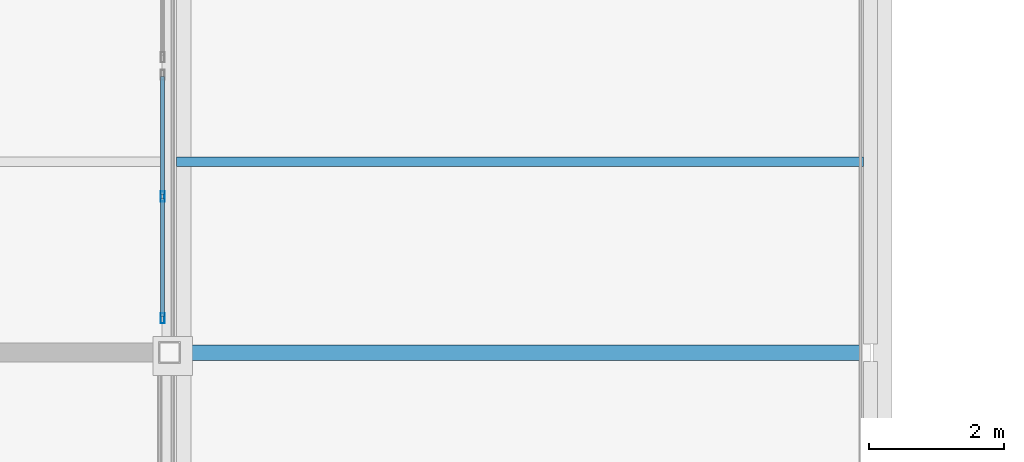
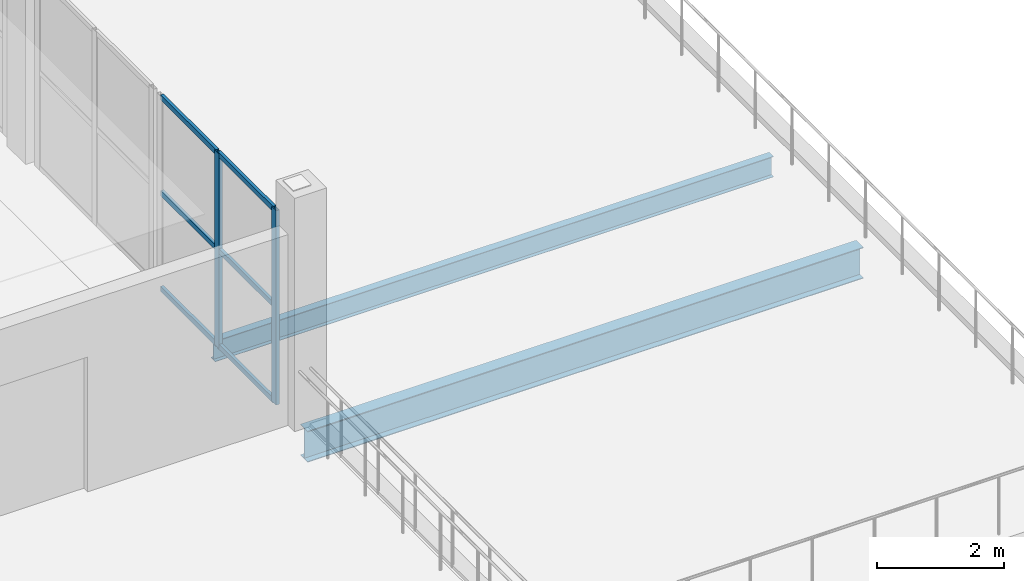
# One storey, part 62 of 156: 8 members, 2 beams, 1 element without a shape of its own.
"""IFC4 building model written with IfcOpenShell, lengths in metres."""

from ifc_helpers import new_model, si_unit, direction, frame, origin, origin_2d, place, context, subcontext, project, spatial, hollow_rectangle, i_section, extrude, material, material_profile, profile_set, type_object, element, aggregate, save


model = new_model("IFC4")

# Units and contexts
model_context = context("Model", 3, precision=1e-05, world=origin(), true_north=direction((0.0, 1.0)))
body_context = subcontext(model_context, "Body", "Model", "MODEL_VIEW")
ifc_project = project(units=[si_unit("LENGTHUNIT", "METRE"), si_unit("AREAUNIT", "SQUARE_METRE"), si_unit("VOLUMEUNIT", "CUBIC_METRE"), si_unit("PLANEANGLEUNIT", "RADIAN"), si_unit("MASSUNIT", "GRAM", prefix="KILO")], contexts=[model_context])

# Site, building, storey
site_placement = place(None, origin())
site = spatial("IfcSite", under=ifc_project, at=site_placement, CompositionType="ELEMENT")
building_placement = place(site_placement, origin())
building = spatial("IfcBuilding", under=site, at=building_placement, Name="Caurita Quay Ferry Terminal", CompositionType="ELEMENT")
storey_placement = place(building_placement, frame((0.0, 0.0, 5.39990234375)))
storey = spatial("IfcBuildingStorey", under=building, at=storey_placement, Name="L01", CompositionType="ELEMENT", Elevation=5.39990234375)

# Beams
ifc_material_1 = material(Name="Structural steel ASTM A992 Gr. 50", Category="steel")
ifc_material_profile_1 = material_profile(ifc_material_1, i_section(OverallWidth=0.22802734375, OverallDepth=0.60205078125, WebThickness=0.010498046875, FlangeThickness=0.014892578125, at=origin_2d()), Name="W24X68")
ifc_profile_set_1 = profile_set([ifc_material_profile_1], Name="Structural steel ASTM A992 Gr. 50")
beam_type_1 = type_object("IfcBeamType", Name="BM-GR-W24C", PredefinedType="BEAM", material=ifc_profile_set_1)
beam_1_placement = place(storey_placement, frame((142.929443359375, 8.5, -0.560791015625), z_axis=(1.0, 0.0, 0.0), x_axis=(0.0, 1.0, 0.0)))
element("IfcBeam", 1, at=beam_1_placement, inside=storey, type_object=beam_type_1, Name="L01 Beam BM-V3P-L01-X-1429-85", PredefinedType="BEAM", context=body_context, shape_type="SweptSolid", body=[
    extrude(i_section(OverallWidth=0.22802734375, OverallDepth=0.60205078125, WebThickness=0.010498046875, FlangeThickness=0.014892578125, at=origin_2d()), origin(), (0.0, 0.0, 1.0), 10.14111328125),
])
ifc_material_profile_2 = material_profile(ifc_material_1, i_section(OverallWidth=0.139892578125, OverallDepth=0.39892578125, WebThickness=0.00634765625, FlangeThickness=0.0087890625, at=origin_2d()), Name="W16X26")
ifc_profile_set_2 = profile_set([ifc_material_profile_2], Name="Structural steel ASTM A992 Gr. 50")
beam_type_2 = type_object("IfcBeamType", Name="BM-JS-W16C", PredefinedType="JOIST", material=ifc_profile_set_2)
beam_2_placement = place(storey_placement, frame((142.905517578125, 11.333251953125, -0.45947265625), z_axis=(1.0, 0.0, 0.0), x_axis=(0.0, 1.0, 0.0)))
element("IfcBeam", 2, at=beam_2_placement, inside=storey, type_object=beam_type_2, Name="L01 Beam JS-V3P-L01-011", PredefinedType="JOIST", context=body_context, shape_type="SweptSolid", body=[
    extrude(i_section(OverallWidth=0.139892578125, OverallDepth=0.39892578125, WebThickness=0.00634765625, FlangeThickness=0.0087890625, at=origin_2d()), origin(), (0.0, 0.0, 1.0), 10.18896484375),
])

# Curtain wall, members
ifc_material_2 = material(Name="Laminated solar-control insulated glass", Category="glass")
curtain_wall_type = type_object("IfcCurtainWallType", Name="CW-SYS-15", PredefinedType="NOTDEFINED", material=ifc_material_2)
curtain_wall_placement = place(storey_placement, origin())
curtain_wall = element("IfcCurtainWall", 3, at=curtain_wall_placement, inside=storey, type_object=curtain_wall_type, Name="Boarding Gangway Ribbon Curtain Wall 119", PredefinedType="NOTDEFINED")
ifc_material_3 = material(Name="Anodized aluminium 6063-T6", Category="aluminium")
ifc_material_profile_3 = material_profile(ifc_material_3, hollow_rectangle(XDim=0.06005859375, YDim=0.14990234375, WallThickness=0.00341796875, at=origin_2d()), Name="ALU-MUL-60X150")
ifc_profile_set_3 = profile_set([ifc_material_profile_3], Name="Anodized aluminium 6063-T6")
member_type_1 = type_object("IfcMemberType", Name="CW-MUL-150", PredefinedType="MULLION", material=ifc_profile_set_3)
member_1_placement = place(storey_placement, frame((142.699951171875, 9.010009765625, 0.0), z_axis=(0.0, 0.0, 1.0), x_axis=(-1.0, 0.0, 0.0)))
member_1 = element("IfcMember", 4, at=member_1_placement, type_object=member_type_1, Name="CW-BGW-119 Mullion 1", PredefinedType="MULLION", context=body_context, shape_type="SweptSolid", body=[
    extrude(hollow_rectangle(XDim=0.06005859375, YDim=0.14990234375, WallThickness=0.00341796875, at=origin_2d()), origin(), (0.0, 0.0, 1.0), 3.75),
])
member_2_placement = place(storey_placement, frame((142.699951171875, 10.81494140625, 0.0), z_axis=(0.0, 0.0, 1.0), x_axis=(-1.0, 0.0, 0.0)))
member_2 = element("IfcMember", 5, at=member_2_placement, type_object=member_type_1, Name="CW-BGW-119 Mullion 2", PredefinedType="MULLION", context=body_context, shape_type="SweptSolid", body=[
    extrude(hollow_rectangle(XDim=0.06005859375, YDim=0.14990234375, WallThickness=0.00341796875, at=origin_2d()), origin(), (0.0, 0.0, 1.0), 3.75),
])
ifc_material_profile_4 = material_profile(ifc_material_3, hollow_rectangle(XDim=0.054931640625, YDim=0.10009765625, WallThickness=0.00341796875, at=origin_2d()), Name="ALU-TRN-55X100")
ifc_profile_set_4 = profile_set([ifc_material_profile_4], Name="Anodized aluminium 6063-T6")
member_type_2 = type_object("IfcMemberType", Name="CW-TRN-100", PredefinedType="USERDEFINED", material=ifc_profile_set_4)
member_3_placement = place(storey_placement, frame((142.699951171875, 9.0380859375, 0.027587890625), z_axis=(0.0, 1.0, 0.0), x_axis=(-1.0, 0.0, 0.0)))
member_3 = element("IfcMember", 6, at=member_3_placement, type_object=member_type_2, Name="CW-BGW-119 Transom 1", ObjectType="TRANSOM", PredefinedType="USERDEFINED", context=body_context, shape_type="SweptSolid", body=[
    extrude(hollow_rectangle(XDim=0.054931640625, YDim=0.10009765625, WallThickness=0.00341796875, at=origin_2d()), origin(), (0.0, 0.0, 1.0), 1.7490234375),
])
member_4_placement = place(storey_placement, frame((142.699951171875, 9.0380859375, 1.875), z_axis=(0.0, 1.0, 0.0), x_axis=(-1.0, 0.0, 0.0)))
member_4 = element("IfcMember", 7, at=member_4_placement, type_object=member_type_2, Name="CW-BGW-119 Transom 2", ObjectType="TRANSOM", PredefinedType="USERDEFINED", context=body_context, shape_type="SweptSolid", body=[
    extrude(hollow_rectangle(XDim=0.054931640625, YDim=0.10009765625, WallThickness=0.00341796875, at=origin_2d()), origin(), (0.0, 0.0, 1.0), 1.7490234375),
])
member_5_placement = place(storey_placement, frame((142.699951171875, 9.0380859375, 3.72265625), z_axis=(0.0, 1.0, 0.0), x_axis=(-1.0, 0.0, 0.0)))
member_5 = element("IfcMember", 8, at=member_5_placement, type_object=member_type_2, Name="CW-BGW-119 Transom 3", ObjectType="TRANSOM", PredefinedType="USERDEFINED", context=body_context, shape_type="SweptSolid", body=[
    extrude(hollow_rectangle(XDim=0.054931640625, YDim=0.10009765625, WallThickness=0.00341796875, at=origin_2d()), origin(), (0.0, 0.0, 1.0), 1.7490234375),
])
member_6_placement = place(storey_placement, frame((142.699951171875, 10.843017578125, 0.027587890625), z_axis=(0.0, 1.0, 0.0), x_axis=(-1.0, 0.0, 0.0)))
member_6 = element("IfcMember", 9, at=member_6_placement, type_object=member_type_2, Name="CW-BGW-119 Transom 4", ObjectType="TRANSOM", PredefinedType="USERDEFINED", context=body_context, shape_type="SweptSolid", body=[
    extrude(hollow_rectangle(XDim=0.054931640625, YDim=0.10009765625, WallThickness=0.00341796875, at=origin_2d()), origin(), (0.0, 0.0, 1.0), 1.7490234375),
])
member_7_placement = place(storey_placement, frame((142.699951171875, 10.843017578125, 1.875), z_axis=(0.0, 1.0, 0.0), x_axis=(-1.0, 0.0, 0.0)))
member_7 = element("IfcMember", 10, at=member_7_placement, type_object=member_type_2, Name="CW-BGW-119 Transom 5", ObjectType="TRANSOM", PredefinedType="USERDEFINED", context=body_context, shape_type="SweptSolid", body=[
    extrude(hollow_rectangle(XDim=0.054931640625, YDim=0.10009765625, WallThickness=0.00341796875, at=origin_2d()), origin(), (0.0, 0.0, 1.0), 1.7490234375),
])
member_8_placement = place(storey_placement, frame((142.699951171875, 10.843017578125, 3.72265625), z_axis=(0.0, 1.0, 0.0), x_axis=(-1.0, 0.0, 0.0)))
member_8 = element("IfcMember", 11, at=member_8_placement, type_object=member_type_2, Name="CW-BGW-119 Transom 6", ObjectType="TRANSOM", PredefinedType="USERDEFINED", context=body_context, shape_type="SweptSolid", body=[
    extrude(hollow_rectangle(XDim=0.054931640625, YDim=0.10009765625, WallThickness=0.00341796875, at=origin_2d()), origin(), (0.0, 0.0, 1.0), 1.7490234375),
])
aggregate(curtain_wall, [member_1, member_2, member_3, member_4, member_5, member_6, member_7, member_8])

save(model, "model.ifc")
